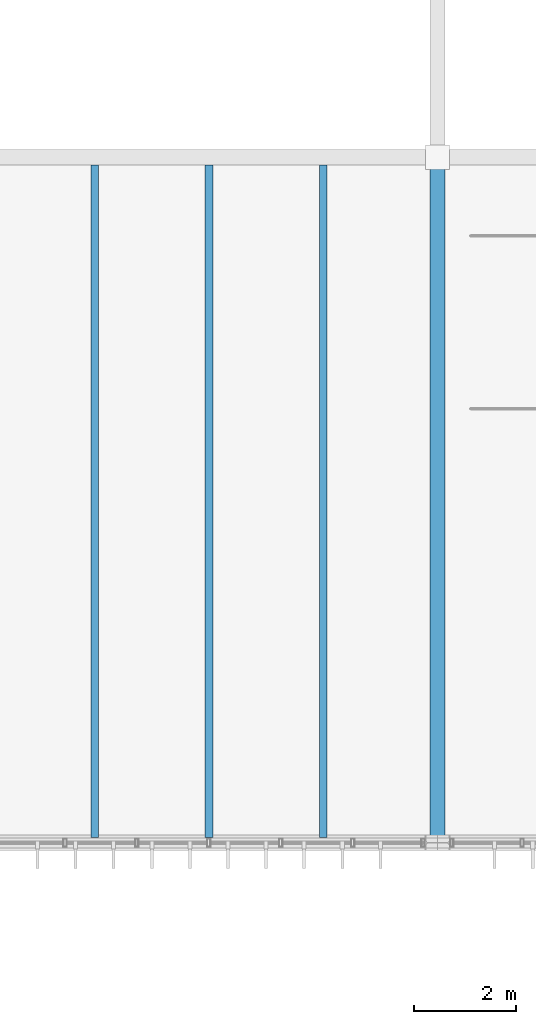
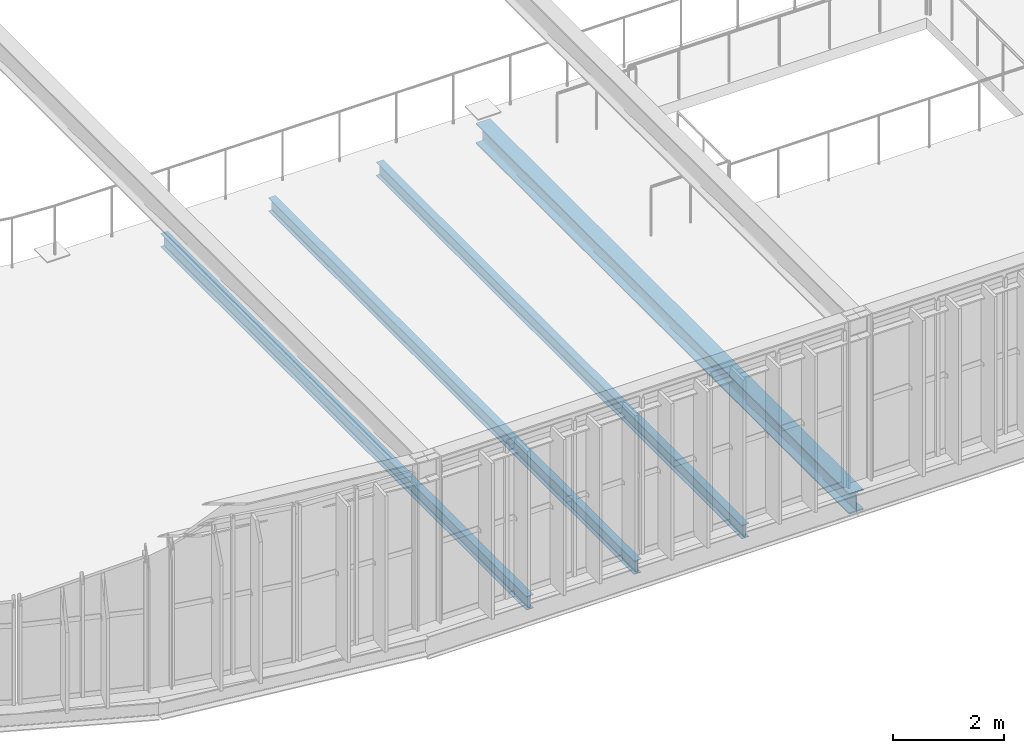
# One storey, part 20 of 152: 4 beams.
"""IFC4 building model written with IfcOpenShell, lengths in metres."""

from ifc_helpers import new_model, si_unit, derived_unit, direction, frame, origin, origin_2d, place, context, subcontext, project, spatial, i_section, extrude, material, material_profile, profile_set, type_object, element, save


model = new_model("IFC4")

# Units and contexts
model_context = context("Model", 3, precision=1e-05, world=origin(), true_north=direction((0.0, 1.0)))
body_context = subcontext(model_context, "Body", "Model", "MODEL_VIEW")
ifc_project = project(units=[si_unit("LENGTHUNIT", "METRE"), si_unit("AREAUNIT", "SQUARE_METRE"), si_unit("VOLUMEUNIT", "CUBIC_METRE"), si_unit("PLANEANGLEUNIT", "RADIAN"), si_unit("MASSUNIT", "GRAM", prefix="KILO"), si_unit("THERMODYNAMICTEMPERATUREUNIT", "KELVIN"), si_unit("TIMEUNIT", "SECOND"), derived_unit("THERMALTRANSMITTANCEUNIT", [(si_unit("MASSUNIT", "GRAM", prefix="KILO"), 1), (si_unit("THERMODYNAMICTEMPERATUREUNIT", "KELVIN"), -1), (si_unit("TIMEUNIT", "SECOND"), -3)])], contexts=[model_context])

# Site, building, storey
site_placement = place(None, origin())
site = spatial("IfcSite", under=ifc_project, at=site_placement, CompositionType="ELEMENT")
building_placement = place(site_placement, origin())
building = spatial("IfcBuilding", under=site, at=building_placement, Name="Cambertide Market Hall", CompositionType="ELEMENT")
storey_placement = place(building_placement, frame((0.0, 0.0, 5.39990234375)))
storey = spatial("IfcBuildingStorey", under=building, at=storey_placement, Name="L02", CompositionType="ELEMENT", Elevation=5.39990234375)

# Beams
ifc_material_1 = material(Name="Steel S355", Category="steel")
ifc_material_profile_1 = material_profile(ifc_material_1, i_section(OverallWidth=0.300048828125, OverallDepth=0.449951171875, WebThickness=0.013916015625, FlangeThickness=0.02587890625, FilletRadius=0.027099609375, at=origin_2d()), Name="HEB 450")
ifc_profile_set_1 = profile_set([ifc_material_profile_1], Name="Steel S355")
beam_type_1 = type_object("IfcBeamType", Name="Steel Girder HEB 450", PredefinedType="BEAM", material=ifc_profile_set_1)
beam_placement = place(storey_placement, frame((51.0, 52.0, -0.46484375), z_axis=(0.0, 1.0, 0.0), x_axis=(-1.0, 0.0, 0.0)))
element("IfcBeam", 1, at=beam_placement, inside=storey, type_object=beam_type_1, Name="Level 2 Beam BM-V1TS-L02-2", PredefinedType="BEAM", context=body_context, shape_type="SweptSolid", body=[
    extrude(i_section(OverallWidth=0.300048828125, OverallDepth=0.449951171875, WebThickness=0.013916015625, FlangeThickness=0.02587890625, FilletRadius=0.027099609375, at=origin_2d()), origin(), (0.0, 0.0, 1.0), 13.5),
])
ifc_material_2 = material(Name="Steel S275", Category="steel")
ifc_material_profile_2 = material_profile(ifc_material_2, i_section(OverallWidth=0.14990234375, OverallDepth=0.300048828125, WebThickness=0.007080078125, FlangeThickness=0.0107421875, FilletRadius=0.014892578125, at=origin_2d()), Name="IPE 300")
ifc_profile_set_2 = profile_set([ifc_material_profile_2], Name="Steel S275")
beam_type_2 = type_object("IfcBeamType", Name="Steel Secondary Joist IPE 300", PredefinedType="JOIST", material=ifc_profile_set_2)
for number, where, z_axis, x_axis, name in (
    (2, (44.25, 52.10791015625, -0.389892578125), (0.0, 1.0, 0.0), (-1.0, 0.0, 0.0), "Level 2 Joist JS-V1S-L02-1-1"),
    (3, (46.5, 52.10791015625, -0.389892578125), (0.0, 1.0, 0.0), (-1.0, 0.0, 0.0), "Level 2 Joist JS-V1S-L02-1-2"),
    (4, (48.75, 52.10791015625, -0.389892578125), (0.0, 1.0, 0.0), (-1.0, 0.0, 0.0), "Level 2 Joist JS-V1S-L02-1-3"),
):
    element("IfcBeam", number, at=place(storey_placement, frame(where, z_axis=z_axis, x_axis=x_axis)), inside=storey, type_object=beam_type_2, Name=name, PredefinedType="JOIST", context=body_context, shape_type="SweptSolid", body=[
        extrude(i_section(OverallWidth=0.14990234375, OverallDepth=0.300048828125, WebThickness=0.007080078125, FlangeThickness=0.0107421875, FilletRadius=0.014892578125, at=origin_2d()), origin(), (0.0, 0.0, 1.0), 13.234130859375),
    ])

save(model, "model.ifc")
